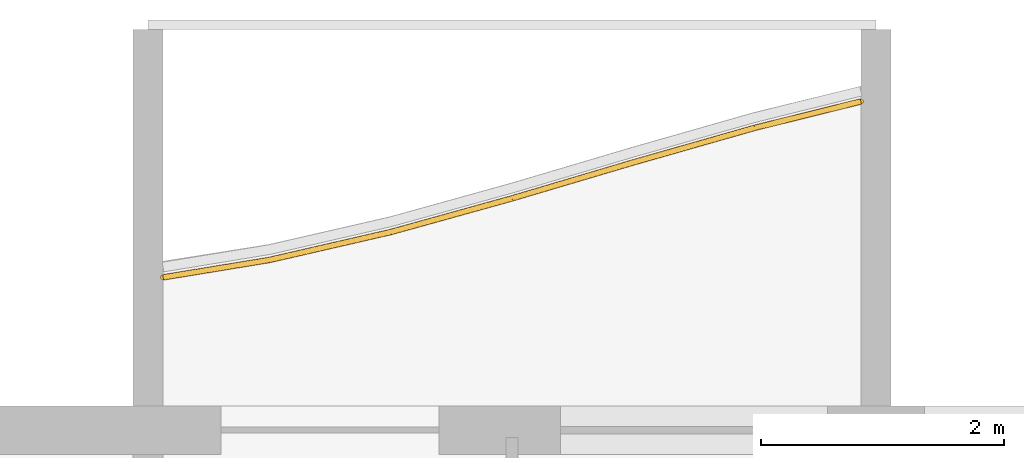
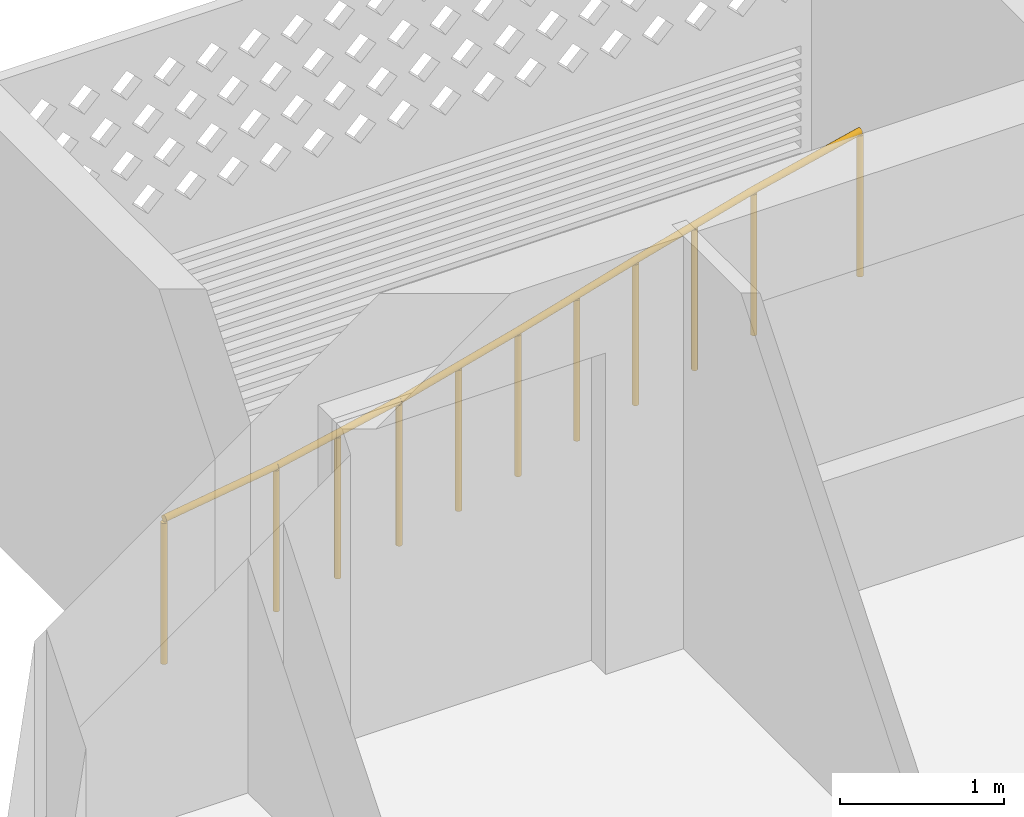
# One storey, part 16 of 29: 1 railing.
"""IFC4 building model written with IfcOpenShell, lengths in metres."""

from ifc_helpers import new_model, si_unit, direction, frame, origin, origin_2d, place, context, subcontext, project, spatial, circle, extrude, material, type_object, element, save


model = new_model("IFC4")

# Units and contexts
model_context = context("Model", 3, precision=1e-05, world=origin(), true_north=direction((0.0, 1.0)))
body_context = subcontext(model_context, "Body", "Model", "MODEL_VIEW")
ifc_project = project(units=[si_unit("LENGTHUNIT", "METRE"), si_unit("AREAUNIT", "SQUARE_METRE"), si_unit("VOLUMEUNIT", "CUBIC_METRE"), si_unit("PLANEANGLEUNIT", "RADIAN"), si_unit("MASSUNIT", "GRAM", prefix="KILO")], contexts=[model_context])

# Site, building, storey
site_placement = place(None, origin())
site = spatial("IfcSite", under=ifc_project, at=site_placement, CompositionType="ELEMENT")
building_placement = place(site_placement, origin())
building = spatial("IfcBuilding", under=site, at=building_placement, Name="Poui Terraces", CompositionType="ELEMENT")
storey_placement = place(building_placement, frame((0.0, 0.0, 231.300048828125)))
storey = spatial("IfcBuildingStorey", under=building, at=storey_placement, Name="L64", CompositionType="ELEMENT", Elevation=231.300048828125)

# Railing
ifc_material = material(Name="Painted steel fretwork", Category="steel")
railing_type = type_object("IfcRailingType", Name="BALCONY GUARD 1100", PredefinedType="GUARDRAIL", material=ifc_material)
railing_placement = place(storey_placement, frame((24.125, 42.459228515625, 0.0)))
element("IfcRailing", 1, at=railing_placement, inside=storey, type_object=railing_type, Name="BALCONY GUARD", PredefinedType="GUARDRAIL", context=body_context, shape_type="SweptSolid", body=[
    extrude(circle(Radius=0.02392578125, at=origin_2d()), frame((0.0, 0.0, 1.076171875), z_axis=(0.986851434927, 0.16162996437, 0.0), x_axis=(-0.16162996437, 0.986851434927, 0.0)), (0.0, 0.0, 1.0), 0.88671875),
    extrude(circle(Radius=0.02392578125, at=origin_2d()), frame((0.875, 0.143310546875, 1.076171875), z_axis=(0.974559344395, 0.224129614849, 0.0), x_axis=(-0.224129614849, 0.974559344395, 0.0)), (0.0, 0.0, 1.0), 1.026123046875),
    extrude(circle(Radius=0.02392578125, at=origin_2d()), frame((1.875, 0.373291015625, 1.076171875), z_axis=(0.963565078544, 0.267473997633, 0.0), x_axis=(-0.267473997633, 0.963565078544, 0.0)), (0.0, 0.0, 1.0), 1.037841796875),
    extrude(circle(Radius=0.02392578125, at=origin_2d()), frame((2.875, 0.65087890625, 1.076171875), z_axis=(0.958774495191, 0.284168026651, 0.0), x_axis=(-0.284168026651, 0.958774495191, 0.0)), (0.0, 0.0, 1.0), 1.04296875),
    extrude(circle(Radius=0.02392578125, at=origin_2d()), frame((3.875, 0.947265625, 1.076171875), z_axis=(0.961727468954, 0.274007801823, 0.0), x_axis=(-0.274007801823, 0.961727468954, 0.0)), (0.0, 0.0, 1.0), 1.039794921875),
    extrude(circle(Radius=0.02392578125, at=origin_2d()), frame((4.875, 1.232177734375, 1.076171875), z_axis=(0.970586901308, 0.240751047785, 0.0), x_axis=(-0.240751047785, 0.970586901308, 0.0)), (0.0, 0.0, 1.0), 0.901611328125),
    extrude(circle(Radius=0.02099609375, at=origin_2d()), origin(), (0.0, 0.0, 1.0), 1.052001953125),
    extrude(circle(Radius=0.02099609375, at=origin_2d()), frame((0.875, 0.143310546875, 0.0)), (0.0, 0.0, 1.0), 1.052001953125),
    extrude(circle(Radius=0.02099609375, at=origin_2d()), frame((1.375, 0.25830078125, 0.0)), (0.0, 0.0, 1.0), 1.052001953125),
    extrude(circle(Radius=0.02099609375, at=origin_2d()), frame((1.875, 0.373291015625, 0.0)), (0.0, 0.0, 1.0), 1.052001953125),
    extrude(circle(Radius=0.02099609375, at=origin_2d()), frame((2.375, 0.51220703125, 0.0)), (0.0, 0.0, 1.0), 1.052001953125),
    extrude(circle(Radius=0.02099609375, at=origin_2d()), frame((2.875, 0.65087890625, 0.0)), (0.0, 0.0, 1.0), 1.052001953125),
    extrude(circle(Radius=0.02099609375, at=origin_2d()), frame((3.375, 0.799072265625, 0.0)), (0.0, 0.0, 1.0), 1.052001953125),
    extrude(circle(Radius=0.02099609375, at=origin_2d()), frame((3.875, 0.947265625, 0.0)), (0.0, 0.0, 1.0), 1.052001953125),
    extrude(circle(Radius=0.02099609375, at=origin_2d()), frame((4.375, 1.08984375, 0.0)), (0.0, 0.0, 1.0), 1.052001953125),
    extrude(circle(Radius=0.02099609375, at=origin_2d()), frame((4.875, 1.232177734375, 0.0)), (0.0, 0.0, 1.0), 1.052001953125),
    extrude(circle(Radius=0.02099609375, at=origin_2d()), frame((5.75, 1.44921875, 0.0)), (0.0, 0.0, 1.0), 1.052001953125),
])

save(model, "model.ifc")
